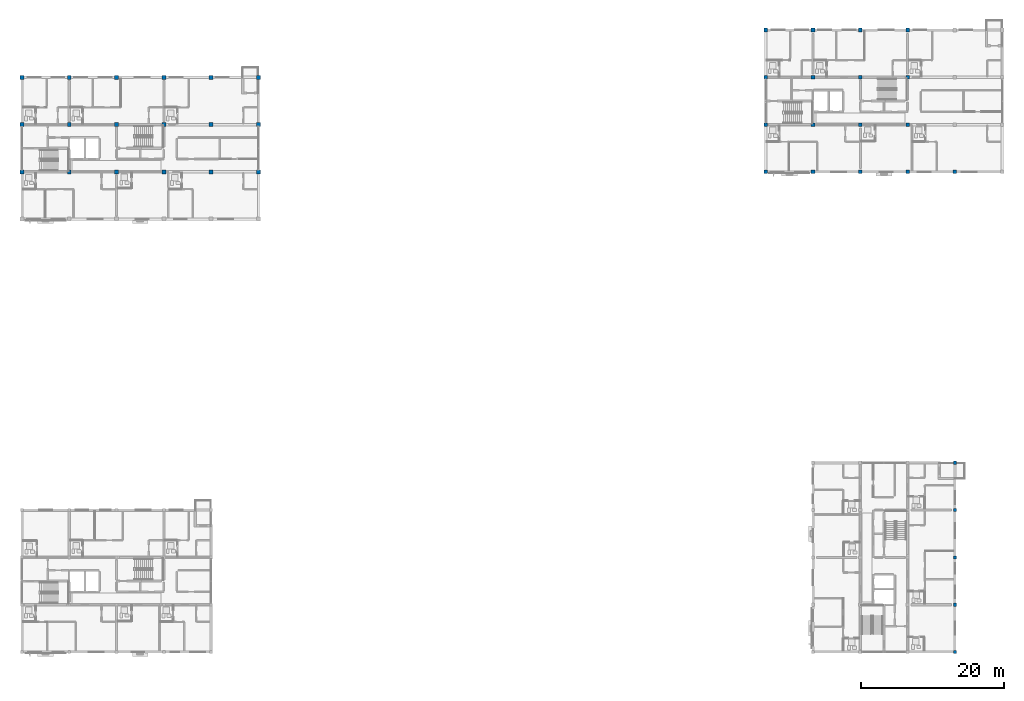
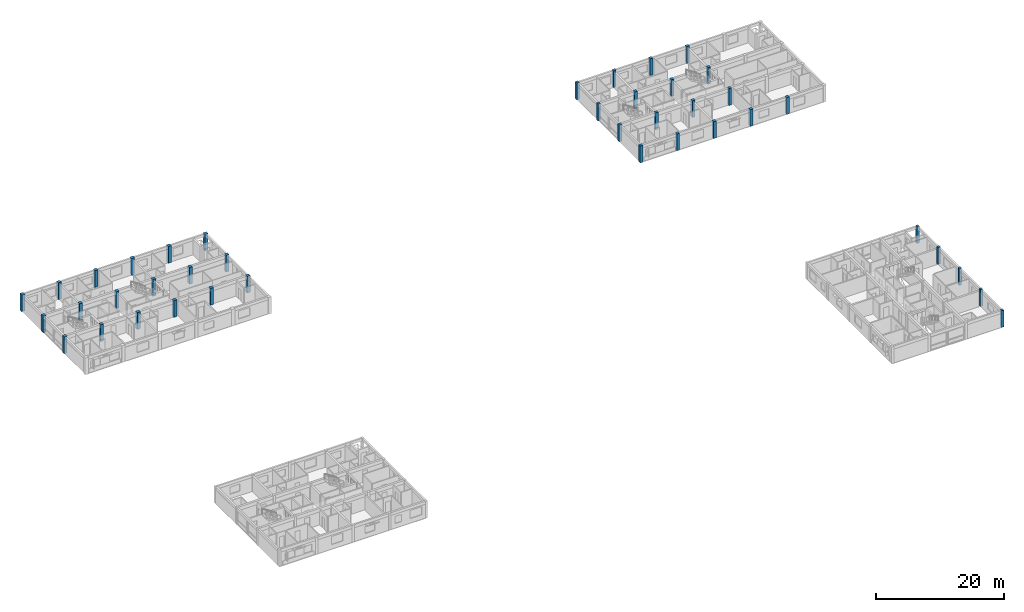
# One storey, part 2 of 53: 40 columns.
"""IFC4 building model written with IfcOpenShell, lengths in metres."""

from ifc_helpers import new_model, si_unit, direction, frame, origin, origin_2d, place, context, subcontext, project, spatial, rectangle, extrude, material, material_profile, profile_set, type_object, element, save


model = new_model("IFC4")

# Units and contexts
model_context = context("Model", 3, precision=1e-05, world=origin(), true_north=direction((0.0, 1.0)))
body_context = subcontext(model_context, "Body", "Model", "MODEL_VIEW")
ifc_project = project(units=[si_unit("LENGTHUNIT", "METRE"), si_unit("AREAUNIT", "SQUARE_METRE"), si_unit("VOLUMEUNIT", "CUBIC_METRE"), si_unit("PLANEANGLEUNIT", "RADIAN"), si_unit("MASSUNIT", "GRAM", prefix="KILO")], contexts=[model_context])

# Site, building, storey
site_placement = place(None, origin())
site = spatial("IfcSite", under=ifc_project, at=site_placement, CompositionType="ELEMENT")
building_placement = place(site_placement, origin())
building = spatial("IfcBuilding", under=site, at=building_placement, Name="Kernevlak Ridge Housing Community", CompositionType="ELEMENT")
storey_placement = place(building_placement, frame((0.0, 0.0, 18.0)))
storey = spatial("IfcBuildingStorey", under=building, at=storey_placement, Name="L05", CompositionType="ELEMENT", Elevation=18.0)

# Columns
ifc_material_1 = material(Name="Concrete C40/50", Category="concrete")
ifc_material_profile_1 = material_profile(ifc_material_1, rectangle(XDim=0.550048828125, YDim=0.550048828125, at=origin_2d()), Name="RC 550x550")
ifc_profile_set_1 = profile_set([ifc_material_profile_1], Name="Concrete C40/50")
column_type_1 = type_object("IfcColumnType", Name="C-02", PredefinedType="COLUMN", material=ifc_profile_set_1)
for number, where, z_axis, x_axis, name in (
    (1, (15.60009765625, 82.60009765625, 0.0), (0.0, 0.0, 1.0), (1.0, 0.0, 0.0), "Column C-02 COL-A-L05-00-1"),
    (2, (15.60009765625, 89.199951171875, 0.0), (0.0, 0.0, 1.0), (1.0, 0.0, 0.0), "Column C-02 COL-A-L05-00-2"),
    (3, (15.60009765625, 95.800048828125, 0.0), (0.0, 0.0, 1.0), (1.0, 0.0, 0.0), "Column C-02 COL-A-L05-00-3"),
    (4, (22.199951171875, 82.60009765625, 0.0), (0.0, 0.0, 1.0), (1.0, 0.0, 0.0), "Column C-02 COL-A-L05-01-1"),
    (5, (22.199951171875, 89.199951171875, 0.0), (0.0, 0.0, 1.0), (1.0, 0.0, 0.0), "Column C-02 COL-A-L05-01-2"),
    (6, (22.199951171875, 95.800048828125, 0.0), (0.0, 0.0, 1.0), (1.0, 0.0, 0.0), "Column C-02 COL-A-L05-01-3"),
    (7, (28.800048828125, 82.60009765625, 0.0), (0.0, 0.0, 1.0), (1.0, 0.0, 0.0), "Column C-02 COL-A-L05-02-1"),
    (8, (28.800048828125, 89.199951171875, 0.0), (0.0, 0.0, 1.0), (1.0, 0.0, 0.0), "Column C-02 COL-A-L05-02-2"),
    (9, (28.800048828125, 95.800048828125, 0.0), (0.0, 0.0, 1.0), (1.0, 0.0, 0.0), "Column C-02 COL-A-L05-02-3"),
    (10, (35.39990234375, 82.60009765625, 0.0), (0.0, 0.0, 1.0), (1.0, 0.0, 0.0), "Column C-02 COL-A-L05-03-1"),
    (11, (35.39990234375, 89.199951171875, 0.0), (0.0, 0.0, 1.0), (1.0, 0.0, 0.0), "Column C-02 COL-A-L05-03-2"),
    (12, (35.39990234375, 95.800048828125, 0.0), (0.0, 0.0, 1.0), (1.0, 0.0, 0.0), "Column C-02 COL-A-L05-03-3"),
    (13, (42.0, 82.60009765625, 0.0), (0.0, 0.0, 1.0), (1.0, 0.0, 0.0), "Column C-02 COL-A-L05-04-1"),
    (14, (42.0, 89.199951171875, 0.0), (0.0, 0.0, 1.0), (1.0, 0.0, 0.0), "Column C-02 COL-A-L05-04-2"),
    (15, (42.0, 95.800048828125, 0.0), (0.0, 0.0, 1.0), (1.0, 0.0, 0.0), "Column C-02 COL-A-L05-04-3"),
    (16, (48.60009765625, 82.60009765625, 0.0), (0.0, 0.0, 1.0), (1.0, 0.0, 0.0), "Column C-02 COL-A-L05-05-1"),
    (17, (48.60009765625, 89.199951171875, 0.0), (0.0, 0.0, 1.0), (1.0, 0.0, 0.0), "Column C-02 COL-A-L05-05-2"),
    (18, (48.60009765625, 95.800048828125, 0.0), (0.0, 0.0, 1.0), (1.0, 0.0, 0.0), "Column C-02 COL-A-L05-05-3"),
):
    element("IfcColumn", number, at=place(storey_placement, frame(where, z_axis=z_axis, x_axis=x_axis)), inside=storey, type_object=column_type_1, Name=name, PredefinedType="COLUMN", context=body_context, shape_type="SweptSolid", body=[
        extrude(rectangle(XDim=0.550048828125, YDim=0.550048828125, at=origin_2d()), origin(), (0.0, 0.0, 1.0), 3.199951171875),
    ])
ifc_material_profile_2 = material_profile(ifc_material_1, rectangle(XDim=0.5, YDim=0.5, at=origin_2d()), Name="RC 500x500")
ifc_profile_set_2 = profile_set([ifc_material_profile_2], Name="Concrete C40/50")
column_type_2 = type_object("IfcColumnType", Name="C-03", PredefinedType="COLUMN", material=ifc_profile_set_2)
for number, where, z_axis, x_axis, name in (
    (19, (119.39990234375, 82.60009765625, 0.0), (0.0, 0.0, 1.0), (1.0, 0.0, 0.0), "Column C-03 COL-B-L05-00-0"),
    (20, (119.39990234375, 89.199951171875, 0.0), (0.0, 0.0, 1.0), (1.0, 0.0, 0.0), "Column C-03 COL-B-L05-00-1"),
    (21, (119.39990234375, 95.800048828125, 0.0), (0.0, 0.0, 1.0), (1.0, 0.0, 0.0), "Column C-03 COL-B-L05-00-2"),
    (22, (119.39990234375, 102.39990234375, 0.0), (0.0, 0.0, 1.0), (1.0, 0.0, 0.0), "Column C-03 COL-B-L05-00-3"),
    (23, (126.0, 82.60009765625, 0.0), (0.0, 0.0, 1.0), (1.0, 0.0, 0.0), "Column C-03 COL-B-L05-01-0"),
    (24, (126.0, 89.199951171875, 0.0), (0.0, 0.0, 1.0), (1.0, 0.0, 0.0), "Column C-03 COL-B-L05-01-1"),
    (25, (126.0, 95.800048828125, 0.0), (0.0, 0.0, 1.0), (1.0, 0.0, 0.0), "Column C-03 COL-B-L05-01-2"),
    (26, (126.0, 102.39990234375, 0.0), (0.0, 0.0, 1.0), (1.0, 0.0, 0.0), "Column C-03 COL-B-L05-01-3"),
    (27, (132.60009765625, 82.60009765625, 0.0), (0.0, 0.0, 1.0), (1.0, 0.0, 0.0), "Column C-03 COL-B-L05-02-0"),
    (28, (132.60009765625, 89.199951171875, 0.0), (0.0, 0.0, 1.0), (1.0, 0.0, 0.0), "Column C-03 COL-B-L05-02-1"),
    (29, (132.60009765625, 95.800048828125, 0.0), (0.0, 0.0, 1.0), (1.0, 0.0, 0.0), "Column C-03 COL-B-L05-02-2"),
    (30, (132.60009765625, 102.39990234375, 0.0), (0.0, 0.0, 1.0), (1.0, 0.0, 0.0), "Column C-03 COL-B-L05-02-3"),
    (31, (139.199951171875, 82.60009765625, 0.0), (0.0, 0.0, 1.0), (1.0, 0.0, 0.0), "Column C-03 COL-B-L05-03-0"),
    (32, (139.199951171875, 89.199951171875, 0.0), (0.0, 0.0, 1.0), (1.0, 0.0, 0.0), "Column C-03 COL-B-L05-03-1"),
    (33, (139.199951171875, 95.800048828125, 0.0), (0.0, 0.0, 1.0), (1.0, 0.0, 0.0), "Column C-03 COL-B-L05-03-2"),
    (34, (139.199951171875, 102.39990234375, 0.0), (0.0, 0.0, 1.0), (1.0, 0.0, 0.0), "Column C-03 COL-B-L05-03-3"),
    (35, (145.800048828125, 82.60009765625, 0.0), (0.0, 0.0, 1.0), (1.0, 0.0, 0.0), "Column C-03 COL-B-L05-04-0"),
):
    element("IfcColumn", number, at=place(storey_placement, frame(where, z_axis=z_axis, x_axis=x_axis)), inside=storey, type_object=column_type_2, Name=name, PredefinedType="COLUMN", context=body_context, shape_type="SweptSolid", body=[
        extrude(rectangle(XDim=0.5, YDim=0.5, at=origin_2d()), origin(), (0.0, 0.0, 1.0), 3.199951171875),
    ])
ifc_material_2 = material(Name="Concrete C35/45", Category="concrete")
ifc_material_profile_3 = material_profile(ifc_material_2, rectangle(XDim=0.449951171875, YDim=0.449951171875, at=origin_2d()), Name="RC 450x450")
ifc_profile_set_3 = profile_set([ifc_material_profile_3], Name="Concrete C35/45")
column_type_3 = type_object("IfcColumnType", Name="C-04", PredefinedType="COLUMN", material=ifc_profile_set_3)
for number, where, z_axis, x_axis, name in (
    (36, (145.800048828125, 15.60009765625, 0.0), (0.0, 0.0, 1.0), (1.0, 0.0, 0.0), "Column C-04 COL-C-L05-00-3"),
    (37, (145.800048828125, 22.199951171875, 0.0), (0.0, 0.0, 1.0), (1.0, 0.0, 0.0), "Column C-04 COL-C-L05-01-3"),
    (38, (145.800048828125, 28.800048828125, 0.0), (0.0, 0.0, 1.0), (1.0, 0.0, 0.0), "Column C-04 COL-C-L05-02-3"),
    (39, (145.800048828125, 35.39990234375, 0.0), (0.0, 0.0, 1.0), (1.0, 0.0, 0.0), "Column C-04 COL-C-L05-03-3"),
    (40, (145.800048828125, 42.0, 0.0), (0.0, 0.0, 1.0), (1.0, 0.0, 0.0), "Column C-04 COL-C-L05-04-3"),
):
    element("IfcColumn", number, at=place(storey_placement, frame(where, z_axis=z_axis, x_axis=x_axis)), inside=storey, type_object=column_type_3, Name=name, PredefinedType="COLUMN", context=body_context, shape_type="SweptSolid", body=[
        extrude(rectangle(XDim=0.449951171875, YDim=0.449951171875, at=origin_2d()), origin(), (0.0, 0.0, 1.0), 3.199951171875),
    ])

save(model, "model.ifc")
